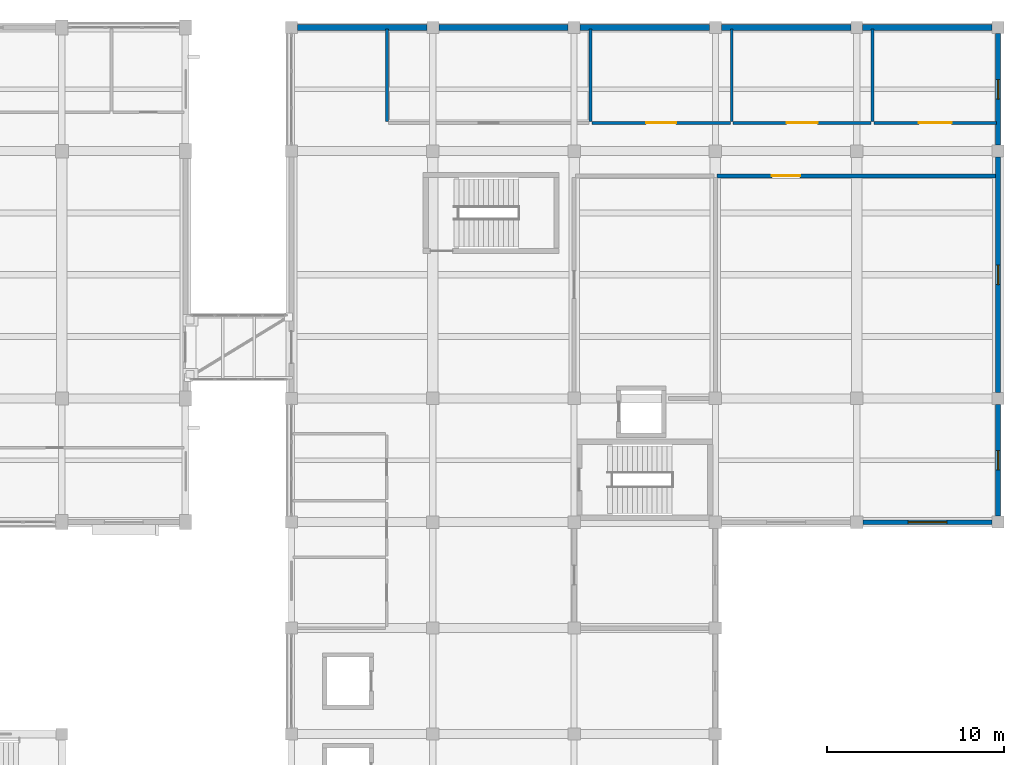
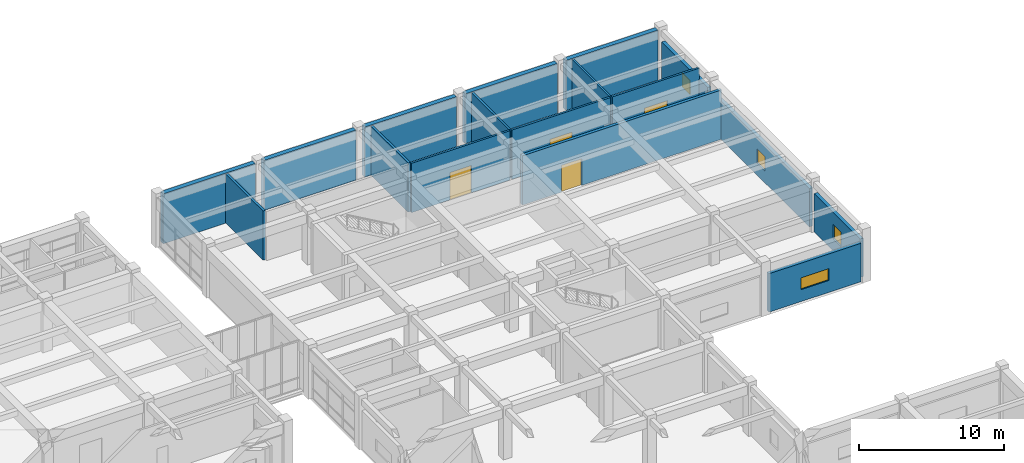
# One storey, part 57 of 72: 17 walls, 4 doors, 4 windows, 8 openings.
"""IFC4 building model written with IfcOpenShell, lengths in metres."""

import ifcopenshell
import ifcopenshell.guid

model = None  # the IFC model being written
_history = None  # IfcOwnerHistory: only IFC2X3 demands one
_inside = {}  # id of a spatial element -> (the spatial element, [elements in it])
_under = {}  # id of a project, library or spatial element -> (it, [spatial elements below it])
_declared = {}  # id of a project -> (the project, [libraries it declares])
_typed = {}  # id of a type object -> (the type object, [elements of that type])
_made_of = {}  # id of a material, layer set ... -> (it, [elements and type objects made of it])


def new_model(schema):
    """Start an empty IFC model of exactly this schema.

    Asked for "IFC4X3", IfcOpenShell would pick the latest addendum, in which some entities
    have other attributes; the version numbers below select the first issue.
    IFC2X3 requires an IfcOwnerHistory on every rooted entity: one is made here for all.
    """
    global model, _history
    if schema == "IFC4X3":
        model = ifcopenshell.file(schema_version=(4, 3, 0, 0))
    else:
        model = ifcopenshell.file(schema=schema)
    _inside.clear()
    _under.clear()
    _declared.clear()
    _typed.clear()
    _made_of.clear()
    _history = None
    if model.schema == "IFC2X3":
        org = make("IfcOrganization", Name="unknown")
        user = make(
            "IfcPersonAndOrganization",
            ThePerson=make("IfcPerson", FamilyName="unknown"),
            TheOrganization=org,
        )
        app = make(
            "IfcApplication",
            ApplicationDeveloper=org,
            Version="unknown",
            ApplicationFullName="unknown",
            ApplicationIdentifier="unknown",
        )
        _history = make(
            "IfcOwnerHistory",
            OwningUser=user,
            OwningApplication=app,
            ChangeAction="ADDED",
            CreationDate=0,
        )
    return model


def make(cls, **values):
    """One entity of the class cls with the attributes given. An attribute that is None is left unset."""
    return model.create_entity(
        cls, **{name: value for name, value in values.items() if value is not None}
    )


def rooted(cls, **values):
    """An entity with a GlobalId (a new one), such as an element, a storey or a relation."""
    return make(cls, GlobalId=ifcopenshell.guid.new(), OwnerHistory=_history, **values)


def si_unit(unit_type, name, prefix=None):
    """IfcSIUnit, for example si_unit("LENGTHUNIT", "METRE", prefix="MILLI")."""
    return make("IfcSIUnit", UnitType=unit_type, Prefix=prefix, Name=name)


def assignment(units):
    """IfcUnitAssignment: the units of a project."""
    return None if units is None else make("IfcUnitAssignment", Units=units)


def point(xyz):
    """IfcCartesianPoint."""
    return None if xyz is None else make("IfcCartesianPoint", Coordinates=xyz)


def direction(xyz):
    """IfcDirection."""
    return None if xyz is None else make("IfcDirection", DirectionRatios=xyz)


def frame(location, z_axis=None, x_axis=None):
    """IfcAxis2Placement3D, a coordinate frame: its origin and axes. An axis left out is left unset."""
    return make(
        "IfcAxis2Placement3D",
        Location=point(location),
        Axis=direction(z_axis),
        RefDirection=direction(x_axis),
    )


def frame_2d(location, x_axis=None):
    """IfcAxis2Placement2D, a coordinate frame in the plane: its origin and x axis."""
    return make(
        "IfcAxis2Placement2D", Location=point(location), RefDirection=direction(x_axis)
    )


def origin():
    """The frame at (0, 0, 0) with its axes left unset."""
    return frame((0.0, 0.0, 0.0))


def place(relative_to, where):
    """IfcLocalPlacement: puts the frame where relative to a parent placement (None: the world)."""
    return make(
        "IfcLocalPlacement", PlacementRelTo=relative_to, RelativePlacement=where
    )


def context(
    kind, dimensions, precision=None, world=None, true_north=None, identifier=None
):
    """IfcGeometricRepresentationContext, for example the 3D "Model" context."""
    return make(
        "IfcGeometricRepresentationContext",
        ContextIdentifier=identifier,
        ContextType=kind,
        CoordinateSpaceDimension=dimensions,
        Precision=precision,
        WorldCoordinateSystem=world,
        TrueNorth=true_north,
    )


def subcontext(parent, identifier, kind, view, scale=None):
    """IfcGeometricRepresentationSubContext, for example "Body" below "Model"."""
    return make(
        "IfcGeometricRepresentationSubContext",
        ContextIdentifier=identifier,
        ContextType=kind,
        ParentContext=parent,
        TargetScale=scale,
        TargetView=view,
    )


def project(units=None, contexts=None):
    """IfcProject with its units and contexts."""
    return rooted(
        "IfcProject",
        Name="project",
        RepresentationContexts=contexts,
        UnitsInContext=assignment(units),
    )


def spatial(cls, under=None, at=None, **own):
    """A site, building, storey or space (cls), placed at a placement, below another one or the project."""
    s = rooted(cls, ObjectPlacement=at, **own)
    if under is not None:
        _under.setdefault(under.id(), (under, []))[1].append(s)
    return s


def profile(cls, at=None, kind="AREA", **sizes):
    """A parametric profile (cls). Its sizes go by their IFC names, for example OverallWidth=200.0."""
    return make(cls, ProfileType=kind, Position=at, **sizes)


def rectangle(**sizes):
    """IfcRectangleProfileDef."""
    return profile("IfcRectangleProfileDef", **sizes)


def extrude(swept, where, along, depth):
    """IfcExtrudedAreaSolid: the profile swept, set in the frame where, extruded along a direction by depth."""
    return make(
        "IfcExtrudedAreaSolid",
        SweptArea=swept,
        Position=where,
        ExtrudedDirection=direction(along),
        Depth=depth,
    )


def shape(context_of_items, identifier, shape_type, items):
    """IfcShapeRepresentation: the items that make up one representation, for example the "Body"."""
    return make(
        "IfcShapeRepresentation",
        ContextOfItems=context_of_items,
        RepresentationIdentifier=identifier,
        RepresentationType=shape_type,
        Items=items,
    )


def material(Name=None, Category=None):
    """IfcMaterial."""
    return make("IfcMaterial", Name=Name, Category=Category)


def layer(
    of_material, thickness, ventilated=None, Name=None, Category=None, Priority=None
):
    """IfcMaterialLayer: one layer of a wall or slab, of a material (None: an air gap)."""
    return make(
        "IfcMaterialLayer",
        Material=of_material,
        LayerThickness=thickness,
        IsVentilated=ventilated,
        Name=Name,
        Category=Category,
        Priority=Priority,
    )


def layer_set(layers, Name=None):
    """IfcMaterialLayerSet."""
    return make("IfcMaterialLayerSet", MaterialLayers=layers, LayerSetName=Name)


def made_of(thing, what):
    """Note that an element or type object is made of a material, layer set ...; save() writes the relation."""
    if what is not None:
        _made_of.setdefault(what.id(), (what, []))[1].append(thing)
    return thing


def type_object(cls, material=None, **own):
    """A type object (cls), such as IfcWallType, which elements share."""
    return made_of(rooted(cls, **own), material)


def element(
    cls,
    number,
    at=None,
    inside=None,
    cuts=None,
    type_object=None,
    material=None,
    context=None,
    identifier="Body",
    shape_type=None,
    held_by="IfcProductDefinitionShape",
    body=None,
    shapes=None,
    **own,
):
    """One element of the class cls, such as IfcWall. Its Tag is "e" and its number.

    at: its placement. inside: the storey or other place that contains it. cuts: it is an
    opening in that element (IfcRelVoidsElement). A single representation is given by context,
    identifier, shape_type and body (its items); several are given by shapes. held_by: the class
    of the entity that holds the representations. save() writes the other relations.
    """
    e = rooted(cls, Tag="e%d" % number, ObjectPlacement=at, **own)
    if body is not None:
        shapes = [shape(context, identifier, shape_type, body)]
    if shapes is not None:
        e.Representation = make(held_by, Representations=shapes)
    if inside is not None:
        _inside.setdefault(inside.id(), (inside, []))[1].append(e)
    if cuts is not None:
        rooted(
            "IfcRelVoidsElement", RelatingBuildingElement=cuts, RelatedOpeningElement=e
        )
    if type_object is not None:
        _typed.setdefault(type_object.id(), (type_object, []))[1].append(e)
    return made_of(e, material)


def fill(opening, filler):
    """IfcRelFillsElement: the door or window that sits in an opening."""
    return rooted(
        "IfcRelFillsElement",
        RelatingOpeningElement=opening,
        RelatedBuildingElement=filler,
    )


def aggregate(whole, parts):
    """IfcRelAggregates: a whole, such as a stair, and the parts it consists of."""
    return rooted("IfcRelAggregates", RelatingObject=whole, RelatedObjects=parts)


def save(model, path):
    """Write the relations noted so far, then the file.

    IfcRelAggregates (storeys below a building ...), IfcRelContainedInSpatialStructure (elements
    in a storey), IfcRelDefinesByType, IfcRelAssociatesMaterial and IfcRelDeclares: one each for
    every whole, place, type object, material and project.
    """
    for whole, parts in _under.values():
        aggregate(whole, parts)
    for where, things in _inside.values():
        rooted(
            "IfcRelContainedInSpatialStructure",
            RelatedElements=things,
            RelatingStructure=where,
        )
    for kind, things in _typed.values():
        rooted("IfcRelDefinesByType", RelatedObjects=things, RelatingType=kind)
    for what, things in _made_of.values():
        rooted("IfcRelAssociatesMaterial", RelatedObjects=things, RelatingMaterial=what)
    for by, libraries in _declared.values():
        rooted("IfcRelDeclares", RelatingContext=by, RelatedDefinitions=libraries)
    model.write(path)


model = new_model("IFC4")

# Units and contexts
model_context = context("Model", 3, precision=1e-05, world=origin(), true_north=direction((0.0, 1.0)))
body_context = subcontext(model_context, "Body", "Model", "MODEL_VIEW")
ifc_project = project(units=[si_unit("LENGTHUNIT", "METRE"), si_unit("AREAUNIT", "SQUARE_METRE"), si_unit("VOLUMEUNIT", "CUBIC_METRE"), si_unit("PLANEANGLEUNIT", "RADIAN"), si_unit("MASSUNIT", "GRAM", prefix="KILO")], contexts=[model_context])

# Site, building, storey
site_placement = place(None, origin())
site = spatial("IfcSite", under=ifc_project, at=site_placement, CompositionType="ELEMENT")
building_placement = place(site_placement, origin())
building = spatial("IfcBuilding", under=site, at=building_placement, Name="Naurynzar Civic Courthouse", CompositionType="ELEMENT")
storey_placement = place(building_placement, frame((0.0, 0.0, 9.89990234375)))
storey = spatial("IfcBuildingStorey", under=building, at=storey_placement, Name="L03", CompositionType="ELEMENT", Elevation=9.89990234375)

# Wall, opening, door
ifc_material_1 = material(Name="Acoustic Double-Stud Gypsum Partition")
ifc_layer_1 = layer(ifc_material_1, 0.235107421875)
ifc_layer_set_1 = layer_set([ifc_layer_1], Name="WL-ACOUSTIC-235")
wall_type_1 = type_object("IfcWallType", Name="WL-ACOUSTIC-235", PredefinedType="PARTITIONING", material=ifc_layer_set_1)
wall_1_placement = place(storey_placement, frame((154.080078125, 63.60009765625, 0.0), z_axis=(0.0, 0.0, 1.0), x_axis=(1.0, 0.0, 0.0)))
wall_1 = element("IfcWall", 1, at=wall_1_placement, inside=storey, type_object=wall_type_1, Name="V5 interior partition L03.361", PredefinedType="PARTITIONING", context=body_context, shape_type="SweptSolid", body=[
    extrude(rectangle(XDim=15.83984375, YDim=0.235107421875, at=frame_2d((7.919921875, 0.0))), origin(), (0.0, 0.0, 1.0), 4.14013671875),
])
opening_1_placement = place(wall_1_placement, frame((3.1201171875, 0.0, 0.0)))
opening_1 = element("IfcOpeningElement", 2, at=opening_1_placement, cuts=wall_1, Name="Opening D-314", PredefinedType="OPENING", context=body_context, shape_type="SweptSolid", body=[
    extrude(rectangle(XDim=1.60009765625, YDim=2.25, at=frame_2d((0.800048828125, 1.125))), frame((0.0, 0.12744140625, 0.0), z_axis=(0.0, -1.0, 0.0), x_axis=(1.0, 0.0, 0.0)), (0.0, 0.0, 1.0), 0.255126953125),
])
ifc_material_2 = material(Name="Acoustic Oak Timber Grade A", Category="wood")
door_type_1 = type_object("IfcDoorType", Name="DR-SUITE-1600x2250", OperationType="DOUBLE_DOOR_SINGLE_SWING", PredefinedType="DOOR", material=ifc_material_2)
door_1_placement = place(opening_1_placement, origin())
door_1 = element("IfcDoor", 3, at=door_1_placement, inside=storey, type_object=door_type_1, Name="Interior door D-314 (Criminal Trial Courtroom L03-N2)", OperationType="DOUBLE_DOOR_SINGLE_SWING", OverallHeight=2.25, OverallWidth=1.60009765625, PredefinedType="DOOR", context=body_context, shape_type="SweptSolid", body=[
    extrude(rectangle(XDim=1.60009765625, YDim=2.25, at=frame_2d((0.800048828125, 1.125))), frame((0.0, 0.02490234375, 0.0), z_axis=(0.0, -1.0, 0.0), x_axis=(1.0, 0.0, 0.0)), (0.0, 0.0, 1.0), 0.050048828125),
])
fill(opening_1, door_1)

# Wall, opening, window
ifc_material_3 = material(Name="Precast concrete C40/50", Category="concrete")
ifc_layer_2 = layer(ifc_material_3, 0.260009765625)
ifc_layer_set_2 = layer_set([ifc_layer_2], Name="WL-EXT-260")
wall_type_2 = type_object("IfcWallType", Name="WL-EXT-260", PredefinedType="SOLIDWALL", material=ifc_layer_set_2)
wall_2_placement = place(storey_placement, frame((170.0, 71.66259765625, 0.0), z_axis=(0.0, 0.0, 1.0), x_axis=(0.0, -1.0, 0.0)))
wall_2 = element("IfcWall", 4, at=wall_2_placement, inside=storey, type_object=wall_type_2, Name="V5 exterior wall east_north L03.1.1", PredefinedType="SOLIDWALL", context=body_context, shape_type="SweptSolid", body=[
    extrude(rectangle(XDim=6.3251953125, YDim=0.260009765625, at=frame_2d((3.16259765625, 0.0))), origin(), (0.0, 0.0, 1.0), 3.22998046875),
])
opening_2_placement = place(wall_2_placement, frame((2.612548828125, 0.0, 1.0)))
opening_2 = element("IfcOpeningElement", 5, at=opening_2_placement, cuts=wall_2, Name="Opening WN-15", PredefinedType="OPENING", context=body_context, shape_type="SweptSolid", body=[
    extrude(rectangle(XDim=1.10009765625, YDim=1.199951171875, at=frame_2d((0.550048828125, 0.60009765625))), frame((0.0, 0.139892578125, 0.0), z_axis=(0.0, -1.0, 0.0), x_axis=(1.0, 0.0, 0.0)), (0.0, 0.0, 1.0), 0.280029296875),
])
ifc_material_4 = material(Name="Tempered Laminated Low-E Glass", Category="glass")
window_type_1 = type_object("IfcWindowType", Name="WIN-SEC-1100x1200", PartitioningType="SINGLE_PANEL", PredefinedType="WINDOW", material=ifc_material_4)
window_1_placement = place(opening_2_placement, origin())
window_1 = element("IfcWindow", 6, at=window_1_placement, inside=storey, type_object=window_type_1, Name="V5 window 285 L03", OverallHeight=1.199951171875, OverallWidth=1.10009765625, PartitioningType="SINGLE_PANEL", PredefinedType="WINDOW", context=body_context, shape_type="SweptSolid", body=[
    extrude(rectangle(XDim=1.10009765625, YDim=1.199951171875, at=frame_2d((0.550048828125, 0.60009765625))), frame((0.0, 0.030029296875, 0.0), z_axis=(0.0, -1.0, 0.0), x_axis=(1.0, 0.0, 0.0)), (0.0, 0.0, 1.0), 0.06005859375),
])
fill(opening_2, window_1)

wall_3_placement = place(storey_placement, frame((170.0, 64.66259765625, 0.0), z_axis=(0.0, 0.0, 1.0), x_axis=(0.0, -1.0, 0.0)))
wall_3 = element("IfcWall", 7, at=wall_3_placement, inside=storey, type_object=wall_type_2, Name="V5 exterior wall east_north L03.2.1", PredefinedType="SOLIDWALL", context=body_context, shape_type="SweptSolid", body=[
    extrude(rectangle(XDim=13.3251953125, YDim=0.260009765625, at=frame_2d((6.66259765625, 0.0))), origin(), (0.0, 0.0, 1.0), 3.22998046875),
])
opening_3_placement = place(wall_3_placement, frame((6.112548828125, 0.0, 1.0)))
opening_3 = element("IfcOpeningElement", 8, at=opening_3_placement, cuts=wall_3, Name="Opening WN-15", PredefinedType="OPENING", context=body_context, shape_type="SweptSolid", body=[
    extrude(rectangle(XDim=1.10009765625, YDim=1.199951171875, at=frame_2d((0.550048828125, 0.60009765625))), frame((0.0, 0.139892578125, 0.0), z_axis=(0.0, -1.0, 0.0), x_axis=(1.0, 0.0, 0.0)), (0.0, 0.0, 1.0), 0.280029296875),
])
window_2_placement = place(opening_3_placement, origin())
window_2 = element("IfcWindow", 9, at=window_2_placement, inside=storey, type_object=window_type_1, Name="V5 window 286 L03", OverallHeight=1.199951171875, OverallWidth=1.10009765625, PartitioningType="SINGLE_PANEL", PredefinedType="WINDOW", context=body_context, shape_type="SweptSolid", body=[
    extrude(rectangle(XDim=1.10009765625, YDim=1.199951171875, at=frame_2d((0.550048828125, 0.60009765625))), frame((0.0, 0.030029296875, 0.0), z_axis=(0.0, -1.0, 0.0), x_axis=(1.0, 0.0, 0.0)), (0.0, 0.0, 1.0), 0.06005859375),
])
fill(opening_3, window_2)

wall_4_placement = place(storey_placement, frame((170.0, 50.66259765625, 0.0), z_axis=(0.0, 0.0, 1.0), x_axis=(0.0, -1.0, 0.0)))
wall_4 = element("IfcWall", 10, at=wall_4_placement, inside=storey, type_object=wall_type_2, Name="V5 exterior wall east_north L03.3.1", PredefinedType="SOLIDWALL", context=body_context, shape_type="SweptSolid", body=[
    extrude(rectangle(XDim=6.3251953125, YDim=0.260009765625, at=frame_2d((3.16259765625, 0.0))), origin(), (0.0, 0.0, 1.0), 3.22998046875),
])
opening_4_placement = place(wall_4_placement, frame((2.612548828125, 0.0, 1.0)))
opening_4 = element("IfcOpeningElement", 11, at=opening_4_placement, cuts=wall_4, Name="Opening WN-15", PredefinedType="OPENING", context=body_context, shape_type="SweptSolid", body=[
    extrude(rectangle(XDim=1.10009765625, YDim=1.199951171875, at=frame_2d((0.550048828125, 0.60009765625))), frame((0.0, 0.139892578125, 0.0), z_axis=(0.0, -1.0, 0.0), x_axis=(1.0, 0.0, 0.0)), (0.0, 0.0, 1.0), 0.280029296875),
])
window_3_placement = place(opening_4_placement, origin())
window_3 = element("IfcWindow", 12, at=window_3_placement, inside=storey, type_object=window_type_1, Name="V5 window 287 L03", OverallHeight=1.199951171875, OverallWidth=1.10009765625, PartitioningType="SINGLE_PANEL", PredefinedType="WINDOW", context=body_context, shape_type="SweptSolid", body=[
    extrude(rectangle(XDim=1.10009765625, YDim=1.199951171875, at=frame_2d((0.550048828125, 0.60009765625))), frame((0.0, 0.030029296875, 0.0), z_axis=(0.0, -1.0, 0.0), x_axis=(1.0, 0.0, 0.0)), (0.0, 0.0, 1.0), 0.06005859375),
])
fill(opening_4, window_3)

wall_5_placement = place(storey_placement, frame((169.66259765625, 44.0, 0.0), z_axis=(0.0, 0.0, 1.0), x_axis=(-1.0, 0.0, 0.0)))
wall_5 = element("IfcWall", 13, at=wall_5_placement, inside=storey, type_object=wall_type_2, Name="V5 exterior wall notch_n L03.1.1", PredefinedType="SOLIDWALL", context=body_context, shape_type="SweptSolid", body=[
    extrude(rectangle(XDim=7.3125, YDim=0.260009765625, at=frame_2d((3.65625, 0.0))), origin(), (0.0, 0.0, 1.0), 3.22998046875),
])
opening_5_placement = place(wall_5_placement, frame((2.55615234375, 0.0, 1.0)))
opening_5 = element("IfcOpeningElement", 14, at=opening_5_placement, cuts=wall_5, Name="Opening WN-18", PredefinedType="OPENING", context=body_context, shape_type="SweptSolid", body=[
    extrude(rectangle(XDim=2.199951171875, YDim=1.0, at=frame_2d((1.10009765625, 0.5))), frame((0.0, 0.139892578125, 0.0), z_axis=(0.0, -1.0, 0.0), x_axis=(1.0, 0.0, 0.0)), (0.0, 0.0, 1.0), 0.280029296875),
])
ifc_material_5 = material(Name="Tempered Laminated Low-E Glass", Category="glass")
window_type_2 = type_object("IfcWindowType", Name="WIN-CLER-2200x1000", PartitioningType="DOUBLE_PANEL_VERTICAL", PredefinedType="WINDOW", material=ifc_material_5)
window_4_placement = place(opening_5_placement, origin())
window_4 = element("IfcWindow", 15, at=window_4_placement, inside=storey, type_object=window_type_2, Name="V5 window 288 L03", OverallHeight=1.0, OverallWidth=2.199951171875, PartitioningType="SINGLE_PANEL", PredefinedType="WINDOW", context=body_context, shape_type="SweptSolid", body=[
    extrude(rectangle(XDim=2.199951171875, YDim=1.0, at=frame_2d((1.10009765625, 0.5))), frame((0.0, 0.030029296875, 0.0), z_axis=(0.0, -1.0, 0.0), x_axis=(1.0, 0.0, 0.0)), (0.0, 0.0, 1.0), 0.06005859375),
])
fill(opening_5, window_4)

# Wall, opening, door
ifc_material_6 = material(Name="Insulated Metal-Stud Gypsum Partition")
ifc_layer_3 = layer(ifc_material_6, 0.159912109375)
ifc_layer_set_3 = layer_set([ifc_layer_3], Name="WL-PART-CHAMB-160")
wall_type_3 = type_object("IfcWallType", Name="WL-PART-CHAMB-160", PredefinedType="PARTITIONING", material=ifc_layer_set_3)
wall_6_placement = place(storey_placement, frame((147.010009765625, 66.60009765625, 0.0), z_axis=(0.0, 0.0, 1.0), x_axis=(1.0, 0.0, 0.0)))
wall_6 = element("IfcWall", 16, at=wall_6_placement, inside=storey, type_object=wall_type_3, Name="V5 interior partition L03.369", PredefinedType="PARTITIONING", context=body_context, shape_type="SweptSolid", body=[
    extrude(rectangle(XDim=7.830078125, YDim=0.159912109375, at=frame_2d((3.9150390625, 0.0))), origin(), (0.0, 0.0, 1.0), 4.14013671875),
])
opening_6_placement = place(wall_6_placement, frame((3.06494140625, 0.0, 0.0)))
opening_6 = element("IfcOpeningElement", 17, at=opening_6_placement, cuts=wall_6, Name="Opening D-316", PredefinedType="OPENING", context=body_context, shape_type="SweptSolid", body=[
    extrude(rectangle(XDim=1.699951171875, YDim=2.300048828125, at=frame_2d((0.85009765625, 1.14990234375))), frame((0.0, 0.08984375, 0.0), z_axis=(0.0, -1.0, 0.0), x_axis=(1.0, 0.0, 0.0)), (0.0, 0.0, 1.0), 0.179931640625),
])
ifc_material_7 = material(Name="Acoustic Oak Timber Grade A", Category="wood")
door_type_2 = type_object("IfcDoorType", Name="DR-SUITE-1700x2300", OperationType="DOUBLE_DOOR_SINGLE_SWING", PredefinedType="DOOR", material=ifc_material_7)
door_2_placement = place(opening_6_placement, origin())
door_2 = element("IfcDoor", 18, at=door_2_placement, inside=storey, type_object=door_type_2, Name="Interior door D-316 (Judges' Chambers L03-V5-2)", OperationType="DOUBLE_DOOR_SINGLE_SWING", OverallHeight=2.300048828125, OverallWidth=1.699951171875, PredefinedType="DOOR", context=body_context, shape_type="SweptSolid", body=[
    extrude(rectangle(XDim=1.699951171875, YDim=2.300048828125, at=frame_2d((0.85009765625, 1.14990234375))), frame((0.0, 0.02490234375, 0.0), z_axis=(0.0, -1.0, 0.0), x_axis=(1.0, 0.0, 0.0)), (0.0, 0.0, 1.0), 0.050048828125),
])
fill(opening_6, door_2)

wall_7_placement = place(storey_placement, frame((155.0, 66.60009765625, 0.0), z_axis=(0.0, 0.0, 1.0), x_axis=(1.0, 0.0, 0.0)))
wall_7 = element("IfcWall", 19, at=wall_7_placement, inside=storey, type_object=wall_type_3, Name="V5 interior partition L03.370", PredefinedType="PARTITIONING", context=body_context, shape_type="SweptSolid", body=[
    extrude(rectangle(XDim=7.820068359375, YDim=0.159912109375, at=frame_2d((3.91015625, 0.0))), origin(), (0.0, 0.0, 1.0), 4.14013671875),
])
opening_7_placement = place(wall_7_placement, frame((3.034912109375, 0.0, 0.0)))
opening_7 = element("IfcOpeningElement", 20, at=opening_7_placement, cuts=wall_7, Name="Opening D-317", PredefinedType="OPENING", context=body_context, shape_type="SweptSolid", body=[
    extrude(rectangle(XDim=1.75, YDim=2.300048828125, at=frame_2d((0.875, 1.14990234375))), frame((0.0, 0.08984375, 0.0), z_axis=(0.0, -1.0, 0.0), x_axis=(1.0, 0.0, 0.0)), (0.0, 0.0, 1.0), 0.179931640625),
])
ifc_material_8 = material(Name="Acoustic Oak Timber Grade A", Category="wood")
door_type_3 = type_object("IfcDoorType", Name="DR-SUITE-1750x2300", OperationType="DOUBLE_DOOR_SINGLE_SWING", PredefinedType="DOOR", material=ifc_material_8)
door_3_placement = place(opening_7_placement, origin())
door_3 = element("IfcDoor", 21, at=door_3_placement, inside=storey, type_object=door_type_3, Name="Interior door D-317 (Judges' Chambers L03-V5-3)", OperationType="DOUBLE_DOOR_SINGLE_SWING", OverallHeight=2.300048828125, OverallWidth=1.75, PredefinedType="DOOR", context=body_context, shape_type="SweptSolid", body=[
    extrude(rectangle(XDim=1.75, YDim=2.300048828125, at=frame_2d((0.875, 1.14990234375))), frame((0.0, 0.02490234375, 0.0), z_axis=(0.0, -1.0, 0.0), x_axis=(1.0, 0.0, 0.0)), (0.0, 0.0, 1.0), 0.050048828125),
])
fill(opening_7, door_3)

wall_8_placement = place(storey_placement, frame((162.97998046875, 66.60009765625, 0.0), z_axis=(0.0, 0.0, 1.0), x_axis=(1.0, 0.0, 0.0)))
wall_8 = element("IfcWall", 22, at=wall_8_placement, inside=storey, type_object=wall_type_3, Name="V5 interior partition L03.371", PredefinedType="PARTITIONING", context=body_context, shape_type="SweptSolid", body=[
    extrude(rectangle(XDim=6.93994140625, YDim=0.159912109375, at=frame_2d((3.469970703125, 0.0))), origin(), (0.0, 0.0, 1.0), 4.14013671875),
])
opening_8_placement = place(wall_8_placement, frame((2.544921875, 0.0, 0.0)))
opening_8 = element("IfcOpeningElement", 23, at=opening_8_placement, cuts=wall_8, Name="Opening D-318", PredefinedType="OPENING", context=body_context, shape_type="SweptSolid", body=[
    extrude(rectangle(XDim=1.85009765625, YDim=2.300048828125, at=frame_2d((0.925048828125, 1.14990234375))), frame((0.0, 0.08984375, 0.0), z_axis=(0.0, -1.0, 0.0), x_axis=(1.0, 0.0, 0.0)), (0.0, 0.0, 1.0), 0.179931640625),
])
ifc_material_9 = material(Name="Acoustic Oak Timber Grade A", Category="wood")
door_type_4 = type_object("IfcDoorType", Name="DR-SUITE-1850x2300", OperationType="DOUBLE_DOOR_SINGLE_SWING", PredefinedType="DOOR", material=ifc_material_9)
door_4_placement = place(opening_8_placement, origin())
door_4 = element("IfcDoor", 24, at=door_4_placement, inside=storey, type_object=door_type_4, Name="Interior door D-318 (Judges' Chambers L03-V5-4)", OperationType="DOUBLE_DOOR_SINGLE_SWING", OverallHeight=2.300048828125, OverallWidth=1.85009765625, PredefinedType="DOOR", context=body_context, shape_type="SweptSolid", body=[
    extrude(rectangle(XDim=1.85009765625, YDim=2.300048828125, at=frame_2d((0.925048828125, 1.14990234375))), frame((0.0, 0.02490234375, 0.0), z_axis=(0.0, -1.0, 0.0), x_axis=(1.0, 0.0, 0.0)), (0.0, 0.0, 1.0), 0.050048828125),
])
fill(opening_8, door_4)

# Walls
for number, where, z_axis, x_axis, name in (
    (25, (154.919921875, 66.679931640625, 0.0), (0.0, 0.0, 1.0), (0.0, 1.0, 0.0), "V5 interior partition L03.434"),
    (26, (162.89990234375, 66.679931640625, 0.0), (0.0, 0.0, 1.0), (0.0, 1.0, 0.0), "V5 interior partition L03.436"),
):
    element("IfcWall", number, at=place(storey_placement, frame(where, z_axis=z_axis, x_axis=x_axis)), inside=storey, type_object=wall_type_3, Name=name, PredefinedType="PARTITIONING", context=body_context, shape_type="SweptSolid", body=[
        extrude(rectangle(XDim=5.239990234375, YDim=0.159912109375, at=frame_2d((2.6201171875, 0.0))), origin(), (0.0, 0.0, 1.0), 4.14013671875),
    ])
ifc_material_10 = material(Name="Acoustic Double-Stud Gypsum Partition")
ifc_layer_4 = layer(ifc_material_10, 0.179931640625)
ifc_layer_set_4 = layer_set([ifc_layer_4], Name="WL-PART-JURY-180")
wall_type_4 = type_object("IfcWallType", Name="WL-PART-JURY-180", PredefinedType="PARTITIONING", material=ifc_layer_set_4)
for number, where, z_axis, x_axis, name in (
    (27, (135.39990234375, 66.679931640625, 0.0), (0.0, 0.0, 1.0), (0.0, 1.0, 0.0), "V5 interior partition L03.424"),
    (28, (146.929931640625, 66.679931640625, 0.0), (0.0, 0.0, 1.0), (0.0, 1.0, 0.0), "V5 interior partition L03.430"),
):
    element("IfcWall", number, at=place(storey_placement, frame(where, z_axis=z_axis, x_axis=x_axis)), inside=storey, type_object=wall_type_4, Name=name, PredefinedType="PARTITIONING", context=body_context, shape_type="SweptSolid", body=[
        extrude(rectangle(XDim=5.239990234375, YDim=0.179931640625, at=frame_2d((2.6201171875, 0.0))), origin(), (0.0, 0.0, 1.0), 4.14013671875),
    ])
ifc_material_11 = material(Name="Concrete C40/50", Category="concrete")
ifc_layer_5 = layer(ifc_material_11, 0.360107421875)
ifc_layer_set_5 = layer_set([ifc_layer_5], Name="WL-PARTY-360")
wall_type_5 = type_object("IfcWallType", Name="WL-PARTY-360", PredefinedType="SOLIDWALL", material=ifc_layer_set_5)
for number, where, z_axis, x_axis, name in (
    (29, (130.33740234375, 72.0, 0.0), (0.0, 0.0, 1.0), (1.0, 0.0, 0.0), "V5 solid seismic party wall L03 1"),
    (30, (138.33740234375, 72.0, 0.0), (0.0, 0.0, 1.0), (1.0, 0.0, 0.0), "V5 solid seismic party wall L03 2"),
    (31, (146.33740234375, 72.0, 0.0), (0.0, 0.0, 1.0), (1.0, 0.0, 0.0), "V5 solid seismic party wall L03 3"),
    (32, (154.33740234375, 72.0, 0.0), (0.0, 0.0, 1.0), (1.0, 0.0, 0.0), "V5 solid seismic party wall L03 4"),
    (33, (162.33740234375, 72.0, 0.0), (0.0, 0.0, 1.0), (1.0, 0.0, 0.0), "V5 solid seismic party wall L03 5"),
):
    element("IfcWall", number, at=place(storey_placement, frame(where, z_axis=z_axis, x_axis=x_axis)), inside=storey, type_object=wall_type_5, Name=name, PredefinedType="SOLIDWALL", context=body_context, shape_type="SweptSolid", body=[
        extrude(rectangle(XDim=7.3251953125, YDim=0.360107421875, at=frame_2d((3.66259765625, 0.0))), origin(), (0.0, 0.0, 1.0), 4.2001953125),
    ])

save(model, "model.ifc")
